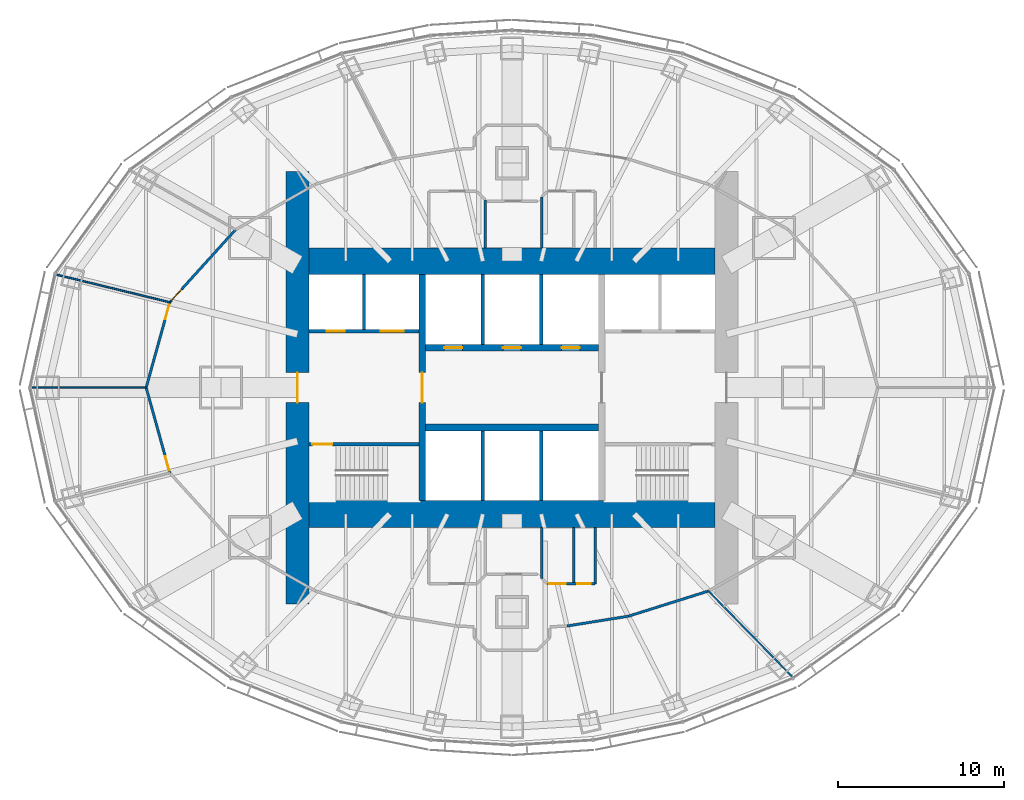
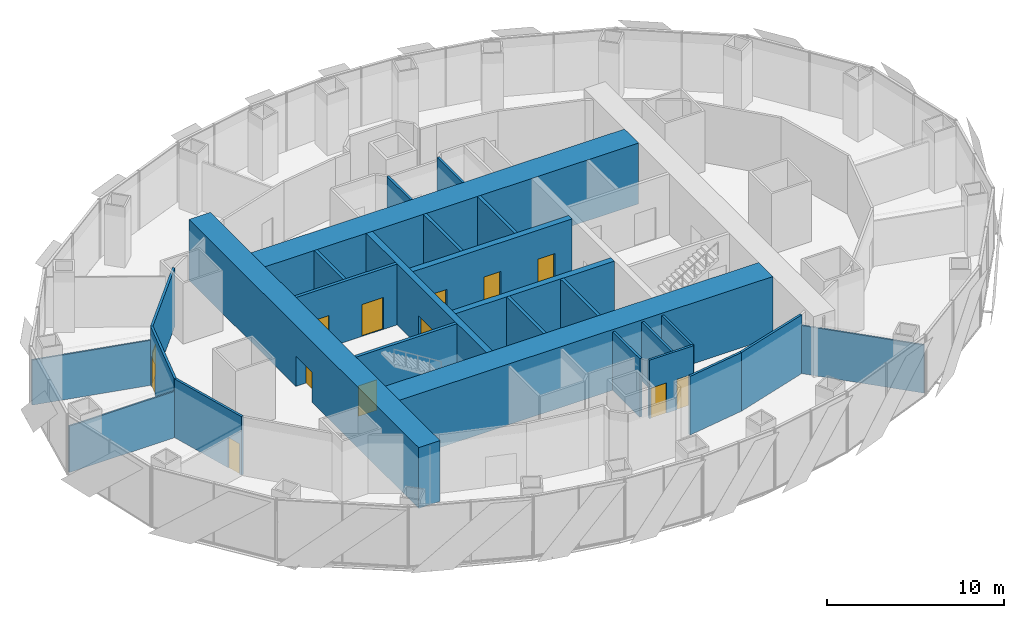
# One storey, part 11 of 17: 27 walls, 13 doors, 13 openings.
"""IFC4 building model written with IfcOpenShell, lengths in metres."""

import ifcopenshell
import ifcopenshell.guid

model = None  # the IFC model being written
_history = None  # IfcOwnerHistory: only IFC2X3 demands one
_inside = {}  # id of a spatial element -> (the spatial element, [elements in it])
_under = {}  # id of a project, library or spatial element -> (it, [spatial elements below it])
_declared = {}  # id of a project -> (the project, [libraries it declares])
_typed = {}  # id of a type object -> (the type object, [elements of that type])
_made_of = {}  # id of a material, layer set ... -> (it, [elements and type objects made of it])


def new_model(schema):
    """Start an empty IFC model of exactly this schema.

    Asked for "IFC4X3", IfcOpenShell would pick the latest addendum, in which some entities
    have other attributes; the version numbers below select the first issue.
    IFC2X3 requires an IfcOwnerHistory on every rooted entity: one is made here for all.
    """
    global model, _history
    if schema == "IFC4X3":
        model = ifcopenshell.file(schema_version=(4, 3, 0, 0))
    else:
        model = ifcopenshell.file(schema=schema)
    _inside.clear()
    _under.clear()
    _declared.clear()
    _typed.clear()
    _made_of.clear()
    _history = None
    if model.schema == "IFC2X3":
        org = make("IfcOrganization", Name="unknown")
        user = make(
            "IfcPersonAndOrganization",
            ThePerson=make("IfcPerson", FamilyName="unknown"),
            TheOrganization=org,
        )
        app = make(
            "IfcApplication",
            ApplicationDeveloper=org,
            Version="unknown",
            ApplicationFullName="unknown",
            ApplicationIdentifier="unknown",
        )
        _history = make(
            "IfcOwnerHistory",
            OwningUser=user,
            OwningApplication=app,
            ChangeAction="ADDED",
            CreationDate=0,
        )
    return model


def make(cls, **values):
    """One entity of the class cls with the attributes given. An attribute that is None is left unset."""
    return model.create_entity(
        cls, **{name: value for name, value in values.items() if value is not None}
    )


def rooted(cls, **values):
    """An entity with a GlobalId (a new one), such as an element, a storey or a relation."""
    return make(cls, GlobalId=ifcopenshell.guid.new(), OwnerHistory=_history, **values)


def si_unit(unit_type, name, prefix=None):
    """IfcSIUnit, for example si_unit("LENGTHUNIT", "METRE", prefix="MILLI")."""
    return make("IfcSIUnit", UnitType=unit_type, Prefix=prefix, Name=name)


def assignment(units):
    """IfcUnitAssignment: the units of a project."""
    return None if units is None else make("IfcUnitAssignment", Units=units)


def point(xyz):
    """IfcCartesianPoint."""
    return None if xyz is None else make("IfcCartesianPoint", Coordinates=xyz)


def direction(xyz):
    """IfcDirection."""
    return None if xyz is None else make("IfcDirection", DirectionRatios=xyz)


def frame(location, z_axis=None, x_axis=None):
    """IfcAxis2Placement3D, a coordinate frame: its origin and axes. An axis left out is left unset."""
    return make(
        "IfcAxis2Placement3D",
        Location=point(location),
        Axis=direction(z_axis),
        RefDirection=direction(x_axis),
    )


def frame_2d(location, x_axis=None):
    """IfcAxis2Placement2D, a coordinate frame in the plane: its origin and x axis."""
    return make(
        "IfcAxis2Placement2D", Location=point(location), RefDirection=direction(x_axis)
    )


def origin():
    """The frame at (0, 0, 0) with its axes left unset."""
    return frame((0.0, 0.0, 0.0))


def place(relative_to, where):
    """IfcLocalPlacement: puts the frame where relative to a parent placement (None: the world)."""
    return make(
        "IfcLocalPlacement", PlacementRelTo=relative_to, RelativePlacement=where
    )


def context(
    kind, dimensions, precision=None, world=None, true_north=None, identifier=None
):
    """IfcGeometricRepresentationContext, for example the 3D "Model" context."""
    return make(
        "IfcGeometricRepresentationContext",
        ContextIdentifier=identifier,
        ContextType=kind,
        CoordinateSpaceDimension=dimensions,
        Precision=precision,
        WorldCoordinateSystem=world,
        TrueNorth=true_north,
    )


def subcontext(parent, identifier, kind, view, scale=None):
    """IfcGeometricRepresentationSubContext, for example "Body" below "Model"."""
    return make(
        "IfcGeometricRepresentationSubContext",
        ContextIdentifier=identifier,
        ContextType=kind,
        ParentContext=parent,
        TargetScale=scale,
        TargetView=view,
    )


def project(units=None, contexts=None):
    """IfcProject with its units and contexts."""
    return rooted(
        "IfcProject",
        Name="project",
        RepresentationContexts=contexts,
        UnitsInContext=assignment(units),
    )


def spatial(cls, under=None, at=None, **own):
    """A site, building, storey or space (cls), placed at a placement, below another one or the project."""
    s = rooted(cls, ObjectPlacement=at, **own)
    if under is not None:
        _under.setdefault(under.id(), (under, []))[1].append(s)
    return s


def profile(cls, at=None, kind="AREA", **sizes):
    """A parametric profile (cls). Its sizes go by their IFC names, for example OverallWidth=200.0."""
    return make(cls, ProfileType=kind, Position=at, **sizes)


def rectangle(**sizes):
    """IfcRectangleProfileDef."""
    return profile("IfcRectangleProfileDef", **sizes)


def extrude(swept, where, along, depth):
    """IfcExtrudedAreaSolid: the profile swept, set in the frame where, extruded along a direction by depth."""
    return make(
        "IfcExtrudedAreaSolid",
        SweptArea=swept,
        Position=where,
        ExtrudedDirection=direction(along),
        Depth=depth,
    )


def shape(context_of_items, identifier, shape_type, items):
    """IfcShapeRepresentation: the items that make up one representation, for example the "Body"."""
    return make(
        "IfcShapeRepresentation",
        ContextOfItems=context_of_items,
        RepresentationIdentifier=identifier,
        RepresentationType=shape_type,
        Items=items,
    )


def material(Name=None, Category=None):
    """IfcMaterial."""
    return make("IfcMaterial", Name=Name, Category=Category)


def layer(
    of_material, thickness, ventilated=None, Name=None, Category=None, Priority=None
):
    """IfcMaterialLayer: one layer of a wall or slab, of a material (None: an air gap)."""
    return make(
        "IfcMaterialLayer",
        Material=of_material,
        LayerThickness=thickness,
        IsVentilated=ventilated,
        Name=Name,
        Category=Category,
        Priority=Priority,
    )


def layer_set(layers, Name=None):
    """IfcMaterialLayerSet."""
    return make("IfcMaterialLayerSet", MaterialLayers=layers, LayerSetName=Name)


def made_of(thing, what):
    """Note that an element or type object is made of a material, layer set ...; save() writes the relation."""
    if what is not None:
        _made_of.setdefault(what.id(), (what, []))[1].append(thing)
    return thing


def type_object(cls, material=None, **own):
    """A type object (cls), such as IfcWallType, which elements share."""
    return made_of(rooted(cls, **own), material)


def element(
    cls,
    number,
    at=None,
    inside=None,
    cuts=None,
    type_object=None,
    material=None,
    context=None,
    identifier="Body",
    shape_type=None,
    held_by="IfcProductDefinitionShape",
    body=None,
    shapes=None,
    **own,
):
    """One element of the class cls, such as IfcWall. Its Tag is "e" and its number.

    at: its placement. inside: the storey or other place that contains it. cuts: it is an
    opening in that element (IfcRelVoidsElement). A single representation is given by context,
    identifier, shape_type and body (its items); several are given by shapes. held_by: the class
    of the entity that holds the representations. save() writes the other relations.
    """
    e = rooted(cls, Tag="e%d" % number, ObjectPlacement=at, **own)
    if body is not None:
        shapes = [shape(context, identifier, shape_type, body)]
    if shapes is not None:
        e.Representation = make(held_by, Representations=shapes)
    if inside is not None:
        _inside.setdefault(inside.id(), (inside, []))[1].append(e)
    if cuts is not None:
        rooted(
            "IfcRelVoidsElement", RelatingBuildingElement=cuts, RelatedOpeningElement=e
        )
    if type_object is not None:
        _typed.setdefault(type_object.id(), (type_object, []))[1].append(e)
    return made_of(e, material)


def fill(opening, filler):
    """IfcRelFillsElement: the door or window that sits in an opening."""
    return rooted(
        "IfcRelFillsElement",
        RelatingOpeningElement=opening,
        RelatedBuildingElement=filler,
    )


def aggregate(whole, parts):
    """IfcRelAggregates: a whole, such as a stair, and the parts it consists of."""
    return rooted("IfcRelAggregates", RelatingObject=whole, RelatedObjects=parts)


def save(model, path):
    """Write the relations noted so far, then the file.

    IfcRelAggregates (storeys below a building ...), IfcRelContainedInSpatialStructure (elements
    in a storey), IfcRelDefinesByType, IfcRelAssociatesMaterial and IfcRelDeclares: one each for
    every whole, place, type object, material and project.
    """
    for whole, parts in _under.values():
        aggregate(whole, parts)
    for where, things in _inside.values():
        rooted(
            "IfcRelContainedInSpatialStructure",
            RelatedElements=things,
            RelatingStructure=where,
        )
    for kind, things in _typed.values():
        rooted("IfcRelDefinesByType", RelatedObjects=things, RelatingType=kind)
    for what, things in _made_of.values():
        rooted("IfcRelAssociatesMaterial", RelatedObjects=things, RelatingMaterial=what)
    for by, libraries in _declared.values():
        rooted("IfcRelDeclares", RelatingContext=by, RelatedDefinitions=libraries)
    model.write(path)


model = new_model("IFC4")

# Units and contexts
model_context = context("Model", 3, precision=1e-05, world=origin(), true_north=direction((0.0, 1.0)))
body_context = subcontext(model_context, "Body", "Model", "MODEL_VIEW")
ifc_project = project(units=[si_unit("LENGTHUNIT", "METRE"), si_unit("AREAUNIT", "SQUARE_METRE"), si_unit("VOLUMEUNIT", "CUBIC_METRE"), si_unit("PLANEANGLEUNIT", "RADIAN"), si_unit("MASSUNIT", "GRAM", prefix="KILO")], contexts=[model_context])

# Site, building, storey
site_placement = place(None, origin())
site = spatial("IfcSite", under=ifc_project, at=site_placement, CompositionType="ELEMENT")
building_placement = place(site_placement, origin())
building = spatial("IfcBuilding", under=site, at=building_placement, Name="Lantaw Convention Tower", CompositionType="ELEMENT")
storey_placement = place(building_placement, frame((0.0, 0.0, 117.39990234375)))
storey = spatial("IfcBuildingStorey", under=building, at=storey_placement, Name="L27", CompositionType="ELEMENT", Elevation=117.39990234375)

# Wall, opening, door
ifc_material_1 = material(Name="Concrete C60/75", Category="concrete")
ifc_layer_1 = layer(ifc_material_1, 1.39990234375)
ifc_layer_set_1 = layer_set([ifc_layer_1], Name="Core wall 1400")
wall_type_1 = type_object("IfcWallType", Name="Core wall 1400", PredefinedType="SHEAR", material=ifc_layer_set_1)
wall_1_placement = place(storey_placement, frame((-12.89990234375, 13.0, 0.0), z_axis=(0.0, 0.0, 1.0), x_axis=(0.0, -1.0, 0.0)))
wall_1 = element("IfcWall", 1, at=wall_1_placement, inside=storey, type_object=wall_type_1, Name="Core wall W", PredefinedType="SHEAR", context=body_context, shape_type="SweptSolid", body=[
    extrude(rectangle(XDim=26.0, YDim=1.39990234375, at=frame_2d((13.0, 0.0))), origin(), (0.0, 0.0, 1.0), 4.2001953125),
])
opening_1_placement = place(wall_1_placement, frame((12.10009765625, 0.0, 0.0)))
opening_1 = element("IfcOpeningElement", 2, at=opening_1_placement, cuts=wall_1, Name="Opening L27.06", PredefinedType="OPENING", context=body_context, shape_type="SweptSolid", body=[
    extrude(rectangle(XDim=1.800048828125, YDim=2.10009765625, at=frame_2d((0.89990234375, 1.050048828125))), frame((0.0, 0.7099609375, 0.0), z_axis=(0.0, -1.0, 0.0), x_axis=(1.0, 0.0, 0.0)), (0.0, 0.0, 1.0), 1.419921875),
])
ifc_material_2 = material(Name="Steel, fire rated", Category="steel")
door_type_1 = type_object("IfcDoorType", Name="Lobby double door FD90", OperationType="DOUBLE_DOOR_DOUBLE_SWING", PredefinedType="DOOR", material=ifc_material_2)
door_1_placement = place(opening_1_placement, origin())
door_1 = element("IfcDoor", 3, at=door_1_placement, inside=storey, type_object=door_type_1, Name="Firefighting lobby door", OperationType="DOUBLE_DOOR_DOUBLE_SWING", OverallHeight=2.10009765625, OverallWidth=1.800048828125, PredefinedType="DOOR", context=body_context, shape_type="SweptSolid", body=[
    extrude(rectangle(XDim=1.800048828125, YDim=2.10009765625, at=frame_2d((0.89990234375, 1.050048828125))), frame((0.0, 0.02490234375, 0.0), z_axis=(0.0, -1.0, 0.0), x_axis=(1.0, 0.0, 0.0)), (0.0, 0.0, 1.0), 0.050048828125),
])
fill(opening_1, door_1)

# Walls
ifc_layer_2 = layer(ifc_material_1, 1.60009765625)
ifc_layer_set_2 = layer_set([ifc_layer_2], Name="Core wall 1600")
wall_type_2 = type_object("IfcWallType", Name="Core wall 1600", PredefinedType="SHEAR", material=ifc_layer_set_2)
for number, where, z_axis, x_axis, name in (
    (4, (-12.199951171875, -7.60009765625, 0.0), (0.0, 0.0, 1.0), (1.0, 0.0, 0.0), "Core wall S"),
    (5, (12.199951171875, 7.60009765625, 0.0), (0.0, 0.0, 1.0), (-1.0, 0.0, 0.0), "Core wall N"),
):
    element("IfcWall", number, at=place(storey_placement, frame(where, z_axis=z_axis, x_axis=x_axis)), inside=storey, type_object=wall_type_2, Name=name, PredefinedType="SHEAR", context=body_context, shape_type="SweptSolid", body=[
        extrude(rectangle(XDim=24.39990234375, YDim=1.60009765625, at=frame_2d((12.199951171875, 0.0))), origin(), (0.0, 0.0, 1.0), 4.2001953125),
    ])

# Wall, opening, door
ifc_layer_3 = layer(ifc_material_1, 0.199951171875)
ifc_layer_set_3 = layer_set([ifc_layer_3], Name="Core wall 200")
wall_type_3 = type_object("IfcWallType", Name="Core wall 200", PredefinedType="SHEAR", material=ifc_layer_set_3)
wall_2_placement = place(storey_placement, frame((-5.60009765625, -3.39990234375, 0.0), z_axis=(0.0, 0.0, 1.0), x_axis=(-1.0, 0.0, 0.0)))
wall_2 = element("IfcWall", 6, at=wall_2_placement, inside=storey, type_object=wall_type_3, Name="Core wall WS", PredefinedType="SHEAR", context=body_context, shape_type="SweptSolid", body=[
    extrude(rectangle(XDim=6.599853515625, YDim=0.199951171875, at=frame_2d((3.2998046875, 0.0))), origin(), (0.0, 0.0, 1.0), 4.2001953125),
])
opening_2_placement = place(wall_2_placement, frame((5.199951171875, 0.0, 0.0)))
opening_2 = element("IfcOpeningElement", 7, at=opening_2_placement, cuts=wall_2, Name="Opening L27.04", PredefinedType="OPENING", context=body_context, shape_type="SweptSolid", body=[
    extrude(rectangle(XDim=1.199951171875, YDim=2.10009765625, at=frame_2d((0.60009765625, 1.050048828125))), frame((0.0, 0.10986328125, 0.0), z_axis=(0.0, -1.0, 0.0), x_axis=(1.0, 0.0, 0.0)), (0.0, 0.0, 1.0), 0.219970703125),
])
door_type_2 = type_object("IfcDoorType", Name="Stair door FD90", OperationType="SINGLE_SWING_RIGHT", PredefinedType="DOOR", material=ifc_material_2)
door_2_placement = place(opening_2_placement, origin())
door_2 = element("IfcDoor", 8, at=door_2_placement, inside=storey, type_object=door_type_2, Name="Exit stair door", OperationType="SINGLE_SWING_RIGHT", OverallHeight=2.10009765625, OverallWidth=1.199951171875, PredefinedType="DOOR", context=body_context, shape_type="SweptSolid", body=[
    extrude(rectangle(XDim=1.199951171875, YDim=2.10009765625, at=frame_2d((0.60009765625, 1.050048828125))), frame((0.0, 0.02490234375, 0.0), z_axis=(0.0, -1.0, 0.0), x_axis=(1.0, 0.0, 0.0)), (0.0, 0.0, 1.0), 0.050048828125),
])
fill(opening_2, door_2)

ifc_layer_4 = layer(ifc_material_1, 0.39990234375)
ifc_layer_set_4 = layer_set([ifc_layer_4], Name="Core wall 400")
wall_type_4 = type_object("IfcWallType", Name="Core wall 400", PredefinedType="SHEAR", material=ifc_layer_set_4)
wall_3_placement = place(storey_placement, frame((-5.39990234375, 6.800048828125, 0.0), z_axis=(0.0, 0.0, 1.0), x_axis=(0.0, -1.0, 0.0)))
wall_3 = element("IfcWall", 9, at=wall_3_placement, inside=storey, type_object=wall_type_4, Name="Core wall XW", PredefinedType="SHEAR", context=body_context, shape_type="SweptSolid", body=[
    extrude(rectangle(XDim=13.60009765625, YDim=0.39990234375, at=frame_2d((6.800048828125, 0.0))), origin(), (0.0, 0.0, 1.0), 4.2001953125),
])
opening_3_placement = place(wall_3_placement, frame((5.89990234375, 0.0, 0.0)))
opening_3 = element("IfcOpeningElement", 10, at=opening_3_placement, cuts=wall_3, Name="Opening L27.02", PredefinedType="OPENING", context=body_context, shape_type="SweptSolid", body=[
    extrude(rectangle(XDim=1.800048828125, YDim=2.10009765625, at=frame_2d((0.89990234375, 1.050048828125))), frame((0.0, 0.2099609375, 0.0), z_axis=(0.0, -1.0, 0.0), x_axis=(1.0, 0.0, 0.0)), (0.0, 0.0, 1.0), 0.419921875),
])
door_3_placement = place(opening_3_placement, origin())
door_3 = element("IfcDoor", 11, at=door_3_placement, inside=storey, type_object=door_type_1, Name="Lift lobby door", OperationType="DOUBLE_DOOR_DOUBLE_SWING", OverallHeight=2.10009765625, OverallWidth=1.800048828125, PredefinedType="DOOR", context=body_context, shape_type="SweptSolid", body=[
    extrude(rectangle(XDim=1.800048828125, YDim=2.10009765625, at=frame_2d((0.89990234375, 1.050048828125))), frame((0.0, 0.02490234375, 0.0), z_axis=(0.0, -1.0, 0.0), x_axis=(1.0, 0.0, 0.0)), (0.0, 0.0, 1.0), 0.050048828125),
])
fill(opening_3, door_3)

# Wall
wall_4_placement = place(storey_placement, frame((-5.199951171875, -2.39990234375, 0.0), z_axis=(0.0, 0.0, 1.0), x_axis=(1.0, 0.0, 0.0)))
element("IfcWall", 12, at=wall_4_placement, inside=storey, type_object=wall_type_4, Name="Core wall BS", PredefinedType="SHEAR", context=body_context, shape_type="SweptSolid", body=[
    extrude(rectangle(XDim=10.39990234375, YDim=0.39990234375, at=frame_2d((5.199951171875, 0.0))), origin(), (0.0, 0.0, 1.0), 4.2001953125),
])

# Wall, openings, doors
wall_5_placement = place(storey_placement, frame((5.199951171875, 2.39990234375, 0.0), z_axis=(0.0, 0.0, 1.0), x_axis=(-1.0, 0.0, 0.0)))
wall_5 = element("IfcWall", 13, at=wall_5_placement, inside=storey, type_object=wall_type_4, Name="Core wall BN", PredefinedType="SHEAR", context=body_context, shape_type="SweptSolid", body=[
    extrude(rectangle(XDim=10.39990234375, YDim=0.39990234375, at=frame_2d((5.199951171875, 0.0))), origin(), (0.0, 0.0, 1.0), 4.2001953125),
])
opening_4_placement = place(wall_5_placement, frame((8.183349609375, 0.0, 0.0)))
opening_4 = element("IfcOpeningElement", 14, at=opening_4_placement, cuts=wall_5, Name="Opening L27.07", PredefinedType="OPENING", context=body_context, shape_type="SweptSolid", body=[
    extrude(rectangle(XDim=1.10009765625, YDim=2.199951171875, at=frame_2d((0.550048828125, 1.10009765625))), frame((0.0, 0.2099609375, 0.0), z_axis=(0.0, -1.0, 0.0), x_axis=(1.0, 0.0, 0.0)), (0.0, 0.0, 1.0), 0.419921875),
])
opening_5_placement = place(wall_5_placement, frame((4.64990234375, 0.0, 0.0)))
opening_5 = element("IfcOpeningElement", 15, at=opening_5_placement, cuts=wall_5, Name="Opening L27.08", PredefinedType="OPENING", context=body_context, shape_type="SweptSolid", body=[
    extrude(rectangle(XDim=1.10009765625, YDim=2.199951171875, at=frame_2d((0.550048828125, 1.10009765625))), frame((0.0, 0.2099609375, 0.0), z_axis=(0.0, -1.0, 0.0), x_axis=(1.0, 0.0, 0.0)), (0.0, 0.0, 1.0), 0.419921875),
])
opening_6_placement = place(wall_5_placement, frame((1.11669921875, 0.0, 0.0)))
opening_6 = element("IfcOpeningElement", 16, at=opening_6_placement, cuts=wall_5, Name="Opening L27.09", PredefinedType="OPENING", context=body_context, shape_type="SweptSolid", body=[
    extrude(rectangle(XDim=1.10009765625, YDim=2.199951171875, at=frame_2d((0.550048828125, 1.10009765625))), frame((0.0, 0.2099609375, 0.0), z_axis=(0.0, -1.0, 0.0), x_axis=(1.0, 0.0, 0.0)), (0.0, 0.0, 1.0), 0.419921875),
])
ifc_material_3 = material(Name="Stainless steel", Category="steel")
door_type_3 = type_object("IfcDoorType", Name="Lift landing door 1100", OperationType="DOUBLE_DOOR_SLIDING", PredefinedType="DOOR", material=ifc_material_3)
door_4_placement = place(opening_4_placement, origin())
door_4 = element("IfcDoor", 17, at=door_4_placement, inside=storey, type_object=door_type_3, Name="Lift landing door N1", OperationType="DOUBLE_DOOR_SLIDING", OverallHeight=2.199951171875, OverallWidth=1.10009765625, PredefinedType="DOOR", context=body_context, shape_type="SweptSolid", body=[
    extrude(rectangle(XDim=1.10009765625, YDim=2.199951171875, at=frame_2d((0.550048828125, 1.10009765625))), frame((0.0, 0.02490234375, 0.0), z_axis=(0.0, -1.0, 0.0), x_axis=(1.0, 0.0, 0.0)), (0.0, 0.0, 1.0), 0.050048828125),
])
fill(opening_4, door_4)
door_5_placement = place(opening_5_placement, origin())
door_5 = element("IfcDoor", 18, at=door_5_placement, inside=storey, type_object=door_type_3, Name="Lift landing door N2", OperationType="DOUBLE_DOOR_SLIDING", OverallHeight=2.199951171875, OverallWidth=1.10009765625, PredefinedType="DOOR", context=body_context, shape_type="SweptSolid", body=[
    extrude(rectangle(XDim=1.10009765625, YDim=2.199951171875, at=frame_2d((0.550048828125, 1.10009765625))), frame((0.0, 0.02490234375, 0.0), z_axis=(0.0, -1.0, 0.0), x_axis=(1.0, 0.0, 0.0)), (0.0, 0.0, 1.0), 0.050048828125),
])
fill(opening_5, door_5)
door_6_placement = place(opening_6_placement, origin())
door_6 = element("IfcDoor", 19, at=door_6_placement, inside=storey, type_object=door_type_3, Name="Lift landing door N3", OperationType="DOUBLE_DOOR_SLIDING", OverallHeight=2.199951171875, OverallWidth=1.10009765625, PredefinedType="DOOR", context=body_context, shape_type="SweptSolid", body=[
    extrude(rectangle(XDim=1.10009765625, YDim=2.199951171875, at=frame_2d((0.550048828125, 1.10009765625))), frame((0.0, 0.02490234375, 0.0), z_axis=(0.0, -1.0, 0.0), x_axis=(1.0, 0.0, 0.0)), (0.0, 0.0, 1.0), 0.050048828125),
])
fill(opening_6, door_6)

# Wall, opening, door
ifc_material_4 = material(Name="Gypsum board on steel studs, fire rated", Category="steel")
ifc_layer_5 = layer(ifc_material_4, 0.14990234375)
ifc_layer_set_5 = layer_set([ifc_layer_5], Name="Corridor wall 150 EI 60")
wall_type_5 = type_object("IfcWallType", Name="Corridor wall 150 EI 60", PredefinedType="PARTITIONING", material=ifc_layer_set_5)
wall_6_placement = place(storey_placement, frame((-16.62255859375, 9.49853515625, 0.0), z_axis=(0.0, 0.0, 1.0), x_axis=(-0.671118353743, -0.741350224435, 0.0)))
wall_6 = element("IfcWall", 20, at=wall_6_placement, inside=storey, type_object=wall_type_5, Name="Corridor wall 150", PredefinedType="PARTITIONING", context=body_context, shape_type="SweptSolid", body=[
    extrude(rectangle(XDim=5.89208984375, YDim=0.14990234375, at=frame_2d((2.946044921875, 0.0))), origin(), (0.0, 0.0, 1.0), 4.050048828125),
])
opening_7_placement = place(wall_6_placement, frame((4.84228515625, 0.0, 0.0)))
opening_7 = element("IfcOpeningElement", 21, at=opening_7_placement, cuts=wall_6, Name="Opening L27.24", PredefinedType="OPENING", context=body_context, shape_type="SweptSolid", body=[
    extrude(rectangle(XDim=0.89990234375, YDim=2.10009765625, at=frame_2d((0.449951171875, 1.050048828125))), frame((0.0, 0.0849609375, 0.0), z_axis=(0.0, -1.0, 0.0), x_axis=(1.0, 0.0, 0.0)), (0.0, 0.0, 1.0), 0.169921875),
])
door_type_4 = type_object("IfcDoorType", Name="Office door 900 FD30", OperationType="SINGLE_SWING_LEFT", PredefinedType="DOOR", material=ifc_material_2)
door_7_placement = place(opening_7_placement, origin())
door_7 = element("IfcDoor", 22, at=door_7_placement, inside=storey, type_object=door_type_4, Name="Nap room door", OperationType="SINGLE_SWING_LEFT", OverallHeight=2.10009765625, OverallWidth=0.89990234375, PredefinedType="DOOR", context=body_context, shape_type="SweptSolid", body=[
    extrude(rectangle(XDim=0.89990234375, YDim=2.10009765625, at=frame_2d((0.449951171875, 1.050048828125))), frame((0.0, 0.02490234375, 0.0), z_axis=(0.0, -1.0, 0.0), x_axis=(1.0, 0.0, 0.0)), (0.0, 0.0, 1.0), 0.050048828125),
])
fill(opening_7, door_7)

wall_7_placement = place(storey_placement, frame((-20.576904296875, 5.13037109375, 0.0), z_axis=(0.0, 0.0, 1.0), x_axis=(-0.267293817428, -0.963615076244, 0.0)))
wall_7 = element("IfcWall", 23, at=wall_7_placement, inside=storey, type_object=wall_type_5, Name="Corridor wall 150", PredefinedType="PARTITIONING", context=body_context, shape_type="SweptSolid", body=[
    extrude(rectangle(XDim=5.323974609375, YDim=0.14990234375, at=frame_2d((2.662109375, 0.0))), origin(), (0.0, 0.0, 1.0), 4.050048828125),
])
opening_8_placement = place(wall_7_placement, frame((0.14990234375, 0.0, 0.0)))
opening_8 = element("IfcOpeningElement", 24, at=opening_8_placement, cuts=wall_7, Name="Opening L27.25", PredefinedType="OPENING", context=body_context, shape_type="SweptSolid", body=[
    extrude(rectangle(XDim=0.89990234375, YDim=2.10009765625, at=frame_2d((0.449951171875, 1.050048828125))), frame((0.0, 0.0849609375, 0.0), z_axis=(0.0, -1.0, 0.0), x_axis=(1.0, 0.0, 0.0)), (0.0, 0.0, 1.0), 0.169921875),
])
door_8_placement = place(opening_8_placement, origin())
door_8 = element("IfcDoor", 25, at=door_8_placement, inside=storey, type_object=door_type_4, Name="Quiet room door", OperationType="SINGLE_SWING_LEFT", OverallHeight=2.10009765625, OverallWidth=0.89990234375, PredefinedType="DOOR", context=body_context, shape_type="SweptSolid", body=[
    extrude(rectangle(XDim=0.89990234375, YDim=2.10009765625, at=frame_2d((0.449951171875, 1.050048828125))), frame((0.0, 0.02490234375, 0.0), z_axis=(0.0, -1.0, 0.0), x_axis=(1.0, 0.0, 0.0)), (0.0, 0.0, 1.0), 0.050048828125),
])
fill(opening_8, door_8)

wall_8_placement = place(storey_placement, frame((-22.0, 0.0, 0.0), z_axis=(0.0, 0.0, 1.0), x_axis=(0.267293817428, -0.963615076244, 0.0)))
wall_8 = element("IfcWall", 26, at=wall_8_placement, inside=storey, type_object=wall_type_5, Name="Corridor wall 150", PredefinedType="PARTITIONING", context=body_context, shape_type="SweptSolid", body=[
    extrude(rectangle(XDim=5.323974609375, YDim=0.14990234375, at=frame_2d((2.662109375, 0.0))), origin(), (0.0, 0.0, 1.0), 4.050048828125),
])
opening_9_placement = place(wall_8_placement, frame((4.274169921875, 0.0, 0.0)))
opening_9 = element("IfcOpeningElement", 27, at=opening_9_placement, cuts=wall_8, Name="Opening L27.26", PredefinedType="OPENING", context=body_context, shape_type="SweptSolid", body=[
    extrude(rectangle(XDim=0.89990234375, YDim=2.10009765625, at=frame_2d((0.449951171875, 1.050048828125))), frame((0.0, 0.0849609375, 0.0), z_axis=(0.0, -1.0, 0.0), x_axis=(1.0, 0.0, 0.0)), (0.0, 0.0, 1.0), 0.169921875),
])
door_9_placement = place(opening_9_placement, origin())
door_9 = element("IfcDoor", 28, at=door_9_placement, inside=storey, type_object=door_type_4, Name="24-hour pantry door", OperationType="SINGLE_SWING_LEFT", OverallHeight=2.10009765625, OverallWidth=0.89990234375, PredefinedType="DOOR", context=body_context, shape_type="SweptSolid", body=[
    extrude(rectangle(XDim=0.89990234375, YDim=2.10009765625, at=frame_2d((0.449951171875, 1.050048828125))), frame((0.0, 0.02490234375, 0.0), z_axis=(0.0, -1.0, 0.0), x_axis=(1.0, 0.0, 0.0)), (0.0, 0.0, 1.0), 0.050048828125),
])
fill(opening_9, door_9)

# Walls
wall_9_placement = place(storey_placement, frame((3.3095703125, -14.3349609375, 0.0), z_axis=(0.0, 0.0, 1.0), x_axis=(0.987511396594, 0.157547585181, 0.0)))
element("IfcWall", 29, at=wall_9_placement, inside=storey, type_object=wall_type_5, Name="Corridor wall 150", PredefinedType="PARTITIONING", context=body_context, shape_type="SweptSolid", body=[
    extrude(rectangle(XDim=3.74072265625, YDim=0.14990234375, at=frame_2d((1.870361328125, 0.0))), origin(), (0.0, 0.0, 1.0), 4.050048828125),
])
wall_10_placement = place(storey_placement, frame((7.003662109375, -13.74560546875, 0.0), z_axis=(0.0, 0.0, 1.0), x_axis=(0.953893934057, 0.300143903101, 0.0)))
element("IfcWall", 30, at=wall_10_placement, inside=storey, type_object=wall_type_5, Name="Corridor wall 150", PredefinedType="PARTITIONING", context=body_context, shape_type="SweptSolid", body=[
    extrude(rectangle(XDim=5.04150390625, YDim=0.14990234375, at=frame_2d((2.520751953125, 0.0))), origin(), (0.0, 0.0, 1.0), 4.050048828125),
])
ifc_material_5 = material(Name="Gypsum board on steel studs, acoustic", Category="steel")
ifc_layer_6 = layer(ifc_material_5, 0.10009765625)
ifc_layer_set_6 = layer_set([ifc_layer_6], Name="Office partition 100")
wall_type_6 = type_object("IfcWallType", Name="Office partition 100", PredefinedType="PARTITIONING", material=ifc_layer_set_6)
wall_11_placement = place(storey_placement, frame((-27.440673828125, 6.808837890625, 0.0), z_axis=(0.0, 0.0, 1.0), x_axis=(0.971377572955, -0.237540755996, 0.0)))
element("IfcWall", 31, at=wall_11_placement, inside=storey, type_object=wall_type_6, Name="Office partition 100", PredefinedType="PARTITIONING", context=body_context, shape_type="SweptSolid", body=[
    extrude(rectangle(XDim=7.06591796875, YDim=0.10009765625, at=frame_2d((3.532958984375, 0.0))), origin(), (0.0, 0.0, 1.0), 3.11279296875),
])
wall_12_placement = place(storey_placement, frame((-28.944091796875, 0.0, 0.0), z_axis=(0.0, 0.0, 1.0), x_axis=(1.0, 0.0, 0.0)))
element("IfcWall", 32, at=wall_12_placement, inside=storey, type_object=wall_type_6, Name="Office partition 100", PredefinedType="PARTITIONING", context=body_context, shape_type="SweptSolid", body=[
    extrude(rectangle(XDim=6.944091796875, YDim=0.10009765625, at=frame_2d((3.47216796875, 0.0))), origin(), (0.0, 0.0, 1.0), 3.204345703125),
])
wall_13_placement = place(storey_placement, frame((16.88232421875, -17.413818359375, 0.0), z_axis=(0.0, 0.0, 1.0), x_axis=(-0.699352142517, 0.714777294517, 0.0)))
element("IfcWall", 33, at=wall_13_placement, inside=storey, type_object=wall_type_6, Name="Office partition 100", PredefinedType="PARTITIONING", context=body_context, shape_type="SweptSolid", body=[
    extrude(rectangle(XDim=7.2490234375, YDim=0.10009765625, at=frame_2d((3.62451171875, 0.0))), origin(), (0.0, 0.0, 1.0), 3.321044921875),
])
ifc_material_6 = material(Name="Concrete blockwork, fire rated", Category="masonry")
ifc_layer_7 = layer(ifc_material_6, 0.199951171875)
ifc_layer_set_7 = layer_set([ifc_layer_7], Name="Shaft wall 200")
wall_type_7 = type_object("IfcWallType", Name="Shaft wall 200", PredefinedType="SOLIDWALL", material=ifc_layer_set_7)
for number, where, z_axis, x_axis, name in (
    (34, (-1.7666015625, 2.60009765625, 0.0), (0.0, 0.0, 1.0), (0.0, 1.0, 0.0), "Shaft wall DN1"),
    (35, (1.7666015625, 2.60009765625, 0.0), (0.0, 0.0, 1.0), (0.0, 1.0, 0.0), "Shaft wall DN2"),
):
    element("IfcWall", number, at=place(storey_placement, frame(where, z_axis=z_axis, x_axis=x_axis)), inside=storey, type_object=wall_type_7, Name=name, PredefinedType="SOLIDWALL", context=body_context, shape_type="SweptSolid", body=[
        extrude(rectangle(XDim=4.199951171875, YDim=0.199951171875, at=frame_2d((2.10009765625, 0.0))), origin(), (0.0, 0.0, 1.0), 4.2001953125),
    ])

# Wall, openings, doors
wall_14_placement = place(storey_placement, frame((-12.199951171875, 3.39990234375, 0.0), z_axis=(0.0, 0.0, 1.0), x_axis=(1.0, 0.0, 0.0)))
wall_14 = element("IfcWall", 36, at=wall_14_placement, inside=storey, type_object=wall_type_7, Name="Shaft wall WN", PredefinedType="SOLIDWALL", context=body_context, shape_type="SweptSolid", body=[
    extrude(rectangle(XDim=6.599853515625, YDim=0.199951171875, at=frame_2d((3.2998046875, 0.0))), origin(), (0.0, 0.0, 1.0), 4.2001953125),
])
opening_10_placement = place(wall_14_placement, frame((1.050048828125, 0.0, 0.0)))
opening_10 = element("IfcOpeningElement", 37, at=opening_10_placement, cuts=wall_14, Name="Opening L27.10", PredefinedType="OPENING", context=body_context, shape_type="SweptSolid", body=[
    extrude(rectangle(XDim=1.10009765625, YDim=2.199951171875, at=frame_2d((0.550048828125, 1.10009765625))), frame((0.0, 0.10986328125, 0.0), z_axis=(0.0, -1.0, 0.0), x_axis=(1.0, 0.0, 0.0)), (0.0, 0.0, 1.0), 0.219970703125),
])
opening_11_placement = place(wall_14_placement, frame((4.300048828125, 0.0, 0.0)))
opening_11 = element("IfcOpeningElement", 38, at=opening_11_placement, cuts=wall_14, Name="Opening L27.11", PredefinedType="OPENING", context=body_context, shape_type="SweptSolid", body=[
    extrude(rectangle(XDim=1.39990234375, YDim=2.199951171875, at=frame_2d((0.699951171875, 1.10009765625))), frame((0.0, 0.10986328125, 0.0), z_axis=(0.0, -1.0, 0.0), x_axis=(1.0, 0.0, 0.0)), (0.0, 0.0, 1.0), 0.219970703125),
])
door_10_placement = place(opening_10_placement, origin())
door_10 = element("IfcDoor", 39, at=door_10_placement, inside=storey, type_object=door_type_3, Name="Lift landing door FF1", OperationType="DOUBLE_DOOR_SLIDING", OverallHeight=2.199951171875, OverallWidth=1.10009765625, PredefinedType="DOOR", context=body_context, shape_type="SweptSolid", body=[
    extrude(rectangle(XDim=1.10009765625, YDim=2.199951171875, at=frame_2d((0.550048828125, 1.10009765625))), frame((0.0, 0.02490234375, 0.0), z_axis=(0.0, -1.0, 0.0), x_axis=(1.0, 0.0, 0.0)), (0.0, 0.0, 1.0), 0.050048828125),
])
fill(opening_10, door_10)
door_type_5 = type_object("IfcDoorType", Name="Lift landing door 1400", OperationType="DOUBLE_DOOR_SLIDING", PredefinedType="DOOR", material=ifc_material_3)
door_11_placement = place(opening_11_placement, origin())
door_11 = element("IfcDoor", 40, at=door_11_placement, inside=storey, type_object=door_type_5, Name="Lift landing door SV1", OperationType="DOUBLE_DOOR_SLIDING", OverallHeight=2.199951171875, OverallWidth=1.39990234375, PredefinedType="DOOR", context=body_context, shape_type="SweptSolid", body=[
    extrude(rectangle(XDim=1.39990234375, YDim=2.199951171875, at=frame_2d((0.699951171875, 1.10009765625))), frame((0.0, 0.02490234375, 0.0), z_axis=(0.0, -1.0, 0.0), x_axis=(1.0, 0.0, 0.0)), (0.0, 0.0, 1.0), 0.050048828125),
])
fill(opening_11, door_11)

# Walls
wall_15_placement = place(storey_placement, frame((-8.89990234375, 3.5, 0.0), z_axis=(0.0, 0.0, 1.0), x_axis=(0.0, 1.0, 0.0)))
element("IfcWall", 41, at=wall_15_placement, inside=storey, type_object=wall_type_7, Name="Shaft wall WD", PredefinedType="SOLIDWALL", context=body_context, shape_type="SweptSolid", body=[
    extrude(rectangle(XDim=3.300048828125, YDim=0.199951171875, at=frame_2d((1.64990234375, 0.0))), origin(), (0.0, 0.0, 1.0), 4.2001953125),
])
ifc_layer_8 = layer(ifc_material_6, 0.199951171875)
ifc_layer_set_8 = layer_set([ifc_layer_8], Name="Shaft wall 200 load-bearing")
wall_type_8 = type_object("IfcWallType", Name="Shaft wall 200 load-bearing", PredefinedType="SOLIDWALL", material=ifc_layer_set_8)
for number, where, z_axis, x_axis, name in (
    (42, (-1.7666015625, -2.60009765625, 0.0), (0.0, 0.0, 1.0), (0.0, -1.0, 0.0), "Shaft wall DS1"),
    (43, (1.7666015625, -2.60009765625, 0.0), (0.0, 0.0, 1.0), (0.0, -1.0, 0.0), "Shaft wall DS2"),
):
    element("IfcWall", number, at=place(storey_placement, frame(where, z_axis=z_axis, x_axis=x_axis)), inside=storey, type_object=wall_type_8, Name=name, PredefinedType="SOLIDWALL", context=body_context, shape_type="SweptSolid", body=[
        extrude(rectangle(XDim=4.199951171875, YDim=0.199951171875, at=frame_2d((2.10009765625, 0.0))), origin(), (0.0, 0.0, 1.0), 4.2001953125),
    ])
ifc_material_7 = material(Name="Concrete blockwork", Category="masonry")
ifc_layer_9 = layer(ifc_material_7, 0.14990234375)
ifc_layer_set_9 = layer_set([ifc_layer_9], Name="WC wall 150")
wall_type_9 = type_object("IfcWallType", Name="WC wall 150", PredefinedType="SOLIDWALL", material=ifc_layer_set_9)
for number, where, z_axis, x_axis, name in (
    (44, (5.0, -8.39990234375, 0.0), (0.0, 0.0, 1.0), (0.0, -1.0, 0.0), "WC wall 150"),
    (45, (3.699951171875, -8.39990234375, 0.0), (0.0, 0.0, 1.0), (0.0, -1.0, 0.0), "WC wall 150"),
):
    element("IfcWall", number, at=place(storey_placement, frame(where, z_axis=z_axis, x_axis=x_axis)), inside=storey, type_object=wall_type_9, Name=name, PredefinedType="SOLIDWALL", context=body_context, shape_type="SweptSolid", body=[
        extrude(rectangle(XDim=3.400146484375, YDim=0.14990234375, at=frame_2d((1.7001953125, 0.0))), origin(), (0.0, 0.0, 1.0), 4.050048828125),
    ])

# Wall, openings, doors
wall_16_placement = place(storey_placement, frame((2.13134765625, -11.800048828125, 0.0), z_axis=(0.0, 0.0, 1.0), x_axis=(1.0, 0.0, 0.0)))
wall_16 = element("IfcWall", 46, at=wall_16_placement, inside=storey, type_object=wall_type_9, Name="WC wall 150", PredefinedType="SOLIDWALL", context=body_context, shape_type="SweptSolid", body=[
    extrude(rectangle(XDim=2.86865234375, YDim=0.14990234375, at=frame_2d((1.434326171875, 0.0))), origin(), (0.0, 0.0, 1.0), 4.050048828125),
])
opening_12_placement = place(wall_16_placement, frame((0.10009765625, 0.0, 0.0)))
opening_12 = element("IfcOpeningElement", 47, at=opening_12_placement, cuts=wall_16, Name="Opening L27.20", PredefinedType="OPENING", context=body_context, shape_type="SweptSolid", body=[
    extrude(rectangle(XDim=1.0, YDim=2.10009765625, at=frame_2d((0.5, 1.050048828125))), frame((0.0, 0.0849609375, 0.0), z_axis=(0.0, -1.0, 0.0), x_axis=(1.0, 0.0, 0.0)), (0.0, 0.0, 1.0), 0.169921875),
])
opening_13_placement = place(wall_16_placement, frame((1.800048828125, 0.0, 0.0)))
opening_13 = element("IfcOpeningElement", 48, at=opening_13_placement, cuts=wall_16, Name="Opening L27.21", PredefinedType="OPENING", context=body_context, shape_type="SweptSolid", body=[
    extrude(rectangle(XDim=0.800048828125, YDim=2.10009765625, at=frame_2d((0.39990234375, 1.050048828125))), frame((0.0, 0.0849609375, 0.0), z_axis=(0.0, -1.0, 0.0), x_axis=(1.0, 0.0, 0.0)), (0.0, 0.0, 1.0), 0.169921875),
])
ifc_material_8 = material(Name="Timber", Category="wood")
door_type_6 = type_object("IfcDoorType", Name="Accessible WC door 1000", OperationType="SINGLE_SWING_LEFT", PredefinedType="DOOR", material=ifc_material_8)
door_12_placement = place(opening_12_placement, origin())
door_12 = element("IfcDoor", 49, at=door_12_placement, inside=storey, type_object=door_type_6, Name="Accessible WC door", OperationType="SINGLE_SWING_LEFT", OverallHeight=2.10009765625, OverallWidth=1.0, PredefinedType="DOOR", context=body_context, shape_type="SweptSolid", body=[
    extrude(rectangle(XDim=1.0, YDim=2.10009765625, at=frame_2d((0.5, 1.050048828125))), frame((0.0, 0.02490234375, 0.0), z_axis=(0.0, -1.0, 0.0), x_axis=(1.0, 0.0, 0.0)), (0.0, 0.0, 1.0), 0.050048828125),
])
fill(opening_12, door_12)
door_type_7 = type_object("IfcDoorType", Name="WC door 800", OperationType="SINGLE_SWING_LEFT", PredefinedType="DOOR", material=ifc_material_8)
door_13_placement = place(opening_13_placement, origin())
door_13 = element("IfcDoor", 50, at=door_13_placement, inside=storey, type_object=door_type_7, Name="Pantry door", OperationType="SINGLE_SWING_LEFT", OverallHeight=2.10009765625, OverallWidth=0.800048828125, PredefinedType="DOOR", context=body_context, shape_type="SweptSolid", body=[
    extrude(rectangle(XDim=0.800048828125, YDim=2.10009765625, at=frame_2d((0.39990234375, 1.050048828125))), frame((0.0, 0.02490234375, 0.0), z_axis=(0.0, -1.0, 0.0), x_axis=(1.0, 0.0, 0.0)), (0.0, 0.0, 1.0), 0.050048828125),
])
fill(opening_13, door_13)

# Walls
wall_17_placement = place(storey_placement, frame((1.800048828125, -8.39990234375, 0.0), z_axis=(0.0, 0.0, 1.0), x_axis=(0.0, -1.0, 0.0)))
element("IfcWall", 51, at=wall_17_placement, inside=storey, type_object=wall_type_9, Name="WC wall 150", PredefinedType="SOLIDWALL", context=body_context, shape_type="SweptSolid", body=[
    extrude(rectangle(XDim=3.068603515625, YDim=0.14990234375, at=frame_2d((1.5341796875, 0.0))), origin(), (0.0, 0.0, 1.0), 4.050048828125),
])
wall_18_placement = place(storey_placement, frame((-1.60009765625, 8.39990234375, 0.0), z_axis=(0.0, 0.0, 1.0), x_axis=(0.0, 1.0, 0.0)))
element("IfcWall", 52, at=wall_18_placement, inside=storey, type_object=wall_type_9, Name="WC wall 150", PredefinedType="SOLIDWALL", context=body_context, shape_type="SweptSolid", body=[
    extrude(rectangle(XDim=2.86865234375, YDim=0.14990234375, at=frame_2d((1.434326171875, 0.0))), origin(), (0.0, 0.0, 1.0), 4.050048828125),
])
wall_19_placement = place(storey_placement, frame((1.800048828125, 8.39990234375, 0.0), z_axis=(0.0, 0.0, 1.0), x_axis=(0.0, 1.0, 0.0)))
element("IfcWall", 53, at=wall_19_placement, inside=storey, type_object=wall_type_9, Name="WC wall 150", PredefinedType="SOLIDWALL", context=body_context, shape_type="SweptSolid", body=[
    extrude(rectangle(XDim=3.068603515625, YDim=0.14990234375, at=frame_2d((1.5341796875, 0.0))), origin(), (0.0, 0.0, 1.0), 4.050048828125),
])

save(model, "model.ifc")
